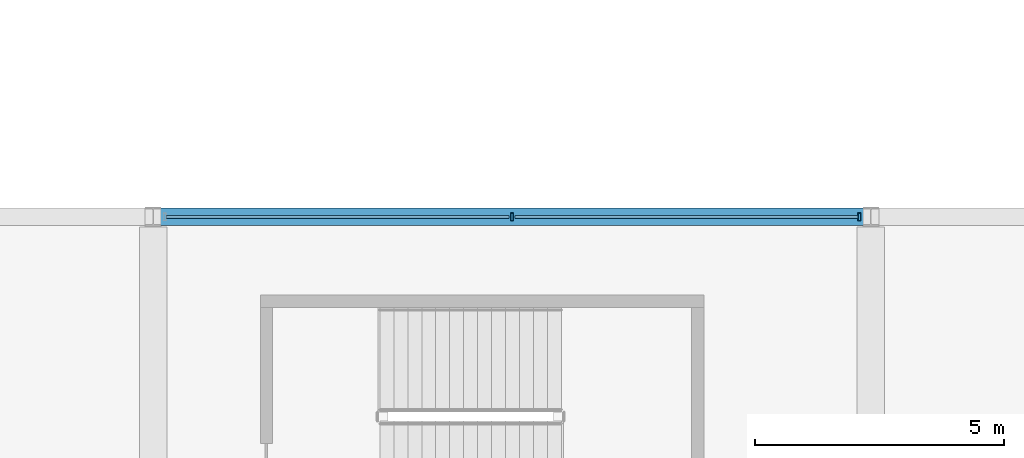
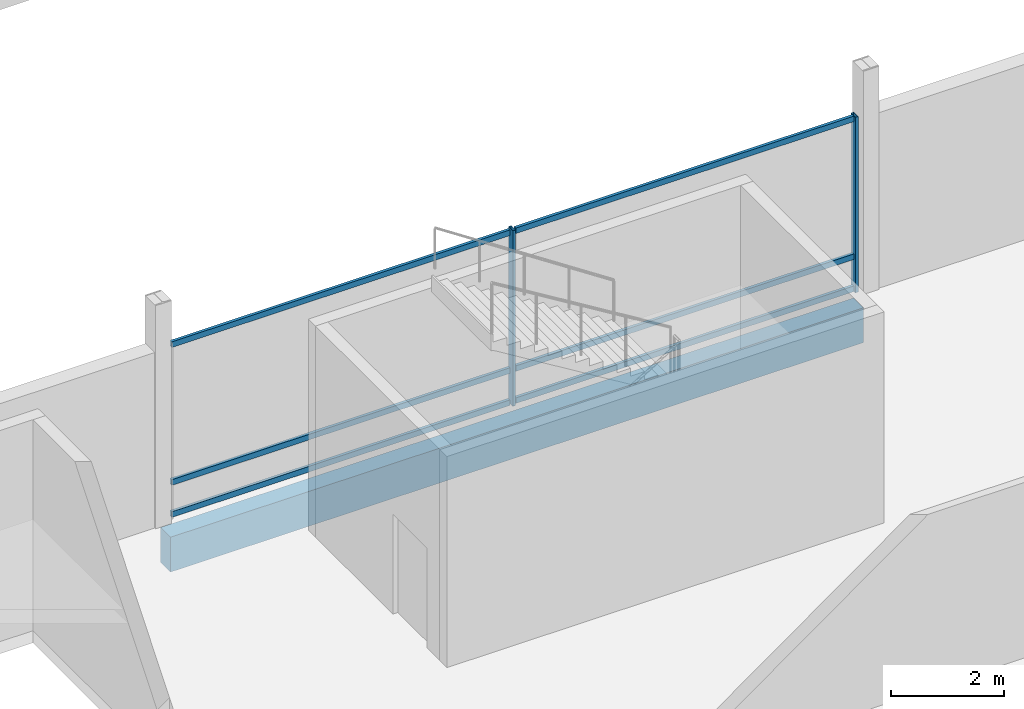
# One storey, part 35 of 193: 8 members, 1 beam, 1 element without a shape of its own.
"""IFC4 building model written with IfcOpenShell, lengths in metres."""

from ifc_helpers import new_model, si_unit, direction, frame, origin, origin_2d, place, context, subcontext, project, spatial, rectangle, hollow_rectangle, extrude, material, material_profile, profile_set, type_object, element, aggregate, save


model = new_model("IFC4")

# Units and contexts
model_context = context("Model", 3, precision=1e-05, world=origin(), true_north=direction((0.0, 1.0)))
body_context = subcontext(model_context, "Body", "Model", "MODEL_VIEW")
ifc_project = project(units=[si_unit("LENGTHUNIT", "METRE"), si_unit("AREAUNIT", "SQUARE_METRE"), si_unit("VOLUMEUNIT", "CUBIC_METRE"), si_unit("PLANEANGLEUNIT", "RADIAN"), si_unit("MASSUNIT", "GRAM", prefix="KILO")], contexts=[model_context])

# Site, building, storey
site_placement = place(None, origin())
site = spatial("IfcSite", under=ifc_project, at=site_placement, CompositionType="ELEMENT")
building_placement = place(site_placement, origin())
building = spatial("IfcBuilding", under=site, at=building_placement, Name="Cendralis Lancet Convention Centre", CompositionType="ELEMENT")
storey_placement = place(building_placement, frame((0.0, 0.0, 10.199951171875)))
storey = spatial("IfcBuildingStorey", under=building, at=storey_placement, Name="L02", CompositionType="ELEMENT", Elevation=10.199951171875)

# Curtain wall, members
ifc_material_1 = material(Name="Anodised bronze architectural aluminium", Category="aluminium")
curtain_wall_type = type_object("IfcCurtainWallType", Name="ARC-CW-CL02", PredefinedType="USERDEFINED", material=ifc_material_1)
curtain_wall_placement = place(storey_placement, origin())
curtain_wall = element("IfcCurtainWall", 1, at=curtain_wall_placement, inside=storey, type_object=curtain_wall_type, Name="L02 Curtain Wall CW-CL2 #173", ObjectType="CURTAIN WALL", PredefinedType="USERDEFINED")
ifc_material_profile_1 = material_profile(ifc_material_1, hollow_rectangle(XDim=0.06005859375, YDim=0.159912109375, WallThickness=0.00390625, at=origin_2d()), Name="AL-MULL 60x160x4.0")
ifc_profile_set_1 = profile_set([ifc_material_profile_1], Name="Anodised bronze architectural aluminium")
member_type_1 = type_object("IfcMemberType", Name="ARC-CW-ML01", PredefinedType="MULLION", material=ifc_profile_set_1)
member_1_placement = place(storey_placement, frame((100.800048828125, 36.0, 0.0), z_axis=(0.0, 0.0, 1.0), x_axis=(1.0, 0.0, 0.0)))
member_1 = element("IfcMember", 2, at=member_1_placement, type_object=member_type_1, Name="Mullion CW2-CW-CL2-L02-173-M1", PredefinedType="MULLION", context=body_context, shape_type="SweptSolid", body=[
    extrude(hollow_rectangle(XDim=0.06005859375, YDim=0.159912109375, WallThickness=0.00390625, at=origin_2d()), origin(), (0.0, 0.0, 1.0), 3.775146484375),
])
member_2_placement = place(storey_placement, frame((107.77001953125, 36.0, 0.0), z_axis=(0.0, 0.0, 1.0), x_axis=(1.0, 0.0, 0.0)))
member_2 = element("IfcMember", 3, at=member_2_placement, type_object=member_type_1, Name="Mullion CW2-CW-CL2-L02-173-M2", PredefinedType="MULLION", context=body_context, shape_type="SweptSolid", body=[
    extrude(hollow_rectangle(XDim=0.06005859375, YDim=0.159912109375, WallThickness=0.00390625, at=origin_2d()), origin(), (0.0, 0.0, 1.0), 3.775146484375),
])
ifc_material_profile_2 = material_profile(ifc_material_1, hollow_rectangle(XDim=0.06005859375, YDim=0.1201171875, WallThickness=0.00390625, at=origin_2d()), Name="AL-TRAN 60x120x4.0")
ifc_profile_set_2 = profile_set([ifc_material_profile_2], Name="Anodised bronze architectural aluminium")
member_type_2 = type_object("IfcMemberType", Name="ARC-CW-TR01", PredefinedType="USERDEFINED", material=ifc_profile_set_2)
member_3_placement = place(storey_placement, frame((93.860107421875, 36.0, 0.06005859375), z_axis=(1.0, 0.0, 0.0), x_axis=(0.0, 1.0, 0.0)))
member_3 = element("IfcMember", 4, at=member_3_placement, type_object=member_type_2, Name="Transom CW2-CW-CL2-L02-173-T0BOT", ObjectType="TRANSOM", PredefinedType="USERDEFINED", context=body_context, shape_type="SweptSolid", body=[
    extrude(hollow_rectangle(XDim=0.06005859375, YDim=0.1201171875, WallThickness=0.00390625, at=origin_2d()), origin(), (0.0, 0.0, 1.0), 6.8798828125),
])
member_4_placement = place(storey_placement, frame((93.860107421875, 36.0, 0.75), z_axis=(1.0, 0.0, 0.0), x_axis=(0.0, 1.0, 0.0)))
member_4 = element("IfcMember", 5, at=member_4_placement, type_object=member_type_2, Name="Transom CW2-CW-CL2-L02-173-T0MID", ObjectType="TRANSOM", PredefinedType="USERDEFINED", context=body_context, shape_type="SweptSolid", body=[
    extrude(hollow_rectangle(XDim=0.06005859375, YDim=0.1201171875, WallThickness=0.00390625, at=origin_2d()), origin(), (0.0, 0.0, 1.0), 6.8798828125),
])
member_5_placement = place(storey_placement, frame((93.860107421875, 36.0, 3.715087890625), z_axis=(1.0, 0.0, 0.0), x_axis=(0.0, 1.0, 0.0)))
member_5 = element("IfcMember", 6, at=member_5_placement, type_object=member_type_2, Name="Transom CW2-CW-CL2-L02-173-T0TOP", ObjectType="TRANSOM", PredefinedType="USERDEFINED", context=body_context, shape_type="SweptSolid", body=[
    extrude(hollow_rectangle(XDim=0.06005859375, YDim=0.1201171875, WallThickness=0.00390625, at=origin_2d()), origin(), (0.0, 0.0, 1.0), 6.8798828125),
])
member_6_placement = place(storey_placement, frame((100.860107421875, 36.0, 0.06005859375), z_axis=(1.0, 0.0, 0.0), x_axis=(0.0, 1.0, 0.0)))
member_6 = element("IfcMember", 7, at=member_6_placement, type_object=member_type_2, Name="Transom CW2-CW-CL2-L02-173-T1BOT", ObjectType="TRANSOM", PredefinedType="USERDEFINED", context=body_context, shape_type="SweptSolid", body=[
    extrude(hollow_rectangle(XDim=0.06005859375, YDim=0.1201171875, WallThickness=0.00390625, at=origin_2d()), origin(), (0.0, 0.0, 1.0), 6.8798828125),
])
member_7_placement = place(storey_placement, frame((100.860107421875, 36.0, 0.75), z_axis=(1.0, 0.0, 0.0), x_axis=(0.0, 1.0, 0.0)))
member_7 = element("IfcMember", 8, at=member_7_placement, type_object=member_type_2, Name="Transom CW2-CW-CL2-L02-173-T1MID", ObjectType="TRANSOM", PredefinedType="USERDEFINED", context=body_context, shape_type="SweptSolid", body=[
    extrude(hollow_rectangle(XDim=0.06005859375, YDim=0.1201171875, WallThickness=0.00390625, at=origin_2d()), origin(), (0.0, 0.0, 1.0), 6.8798828125),
])
member_8_placement = place(storey_placement, frame((100.860107421875, 36.0, 3.715087890625), z_axis=(1.0, 0.0, 0.0), x_axis=(0.0, 1.0, 0.0)))
member_8 = element("IfcMember", 9, at=member_8_placement, type_object=member_type_2, Name="Transom CW2-CW-CL2-L02-173-T1TOP", ObjectType="TRANSOM", PredefinedType="USERDEFINED", context=body_context, shape_type="SweptSolid", body=[
    extrude(hollow_rectangle(XDim=0.06005859375, YDim=0.1201171875, WallThickness=0.00390625, at=origin_2d()), origin(), (0.0, 0.0, 1.0), 6.8798828125),
])
aggregate(curtain_wall, [member_1, member_2, member_3, member_4, member_5, member_6, member_7, member_8])

# Beam
ifc_material_2 = material(Name="Concrete G40 (C40/50)", Category="concrete")
ifc_material_profile_3 = material_profile(ifc_material_2, rectangle(XDim=0.35009765625, YDim=0.75, at=origin_2d()), Name="RCB 350x750")
ifc_profile_set_3 = profile_set([ifc_material_profile_3], Name="Concrete G40 (C40/50)")
beam_type = type_object("IfcBeamType", Name="STR-SP-SP01", PredefinedType="SPANDREL", material=ifc_profile_set_3)
beam_placement = place(storey_placement, frame((93.75, 36.0, -0.675048828125), z_axis=(1.0, 0.0, 0.0), x_axis=(0.0, 1.0, 0.0)))
element("IfcBeam", 10, at=beam_placement, inside=storey, type_object=beam_type, Name="L02 Beam SP01 #0849", PredefinedType="SPANDREL", context=body_context, shape_type="SweptSolid", body=[
    extrude(rectangle(XDim=0.35009765625, YDim=0.75, at=origin_2d()), origin(), (0.0, 0.0, 1.0), 14.10009765625),
])

save(model, "model.ifc")
